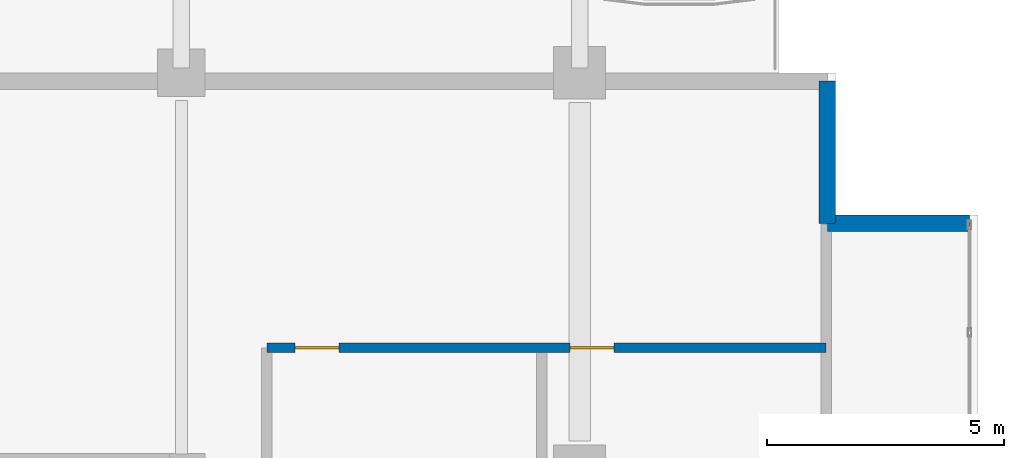
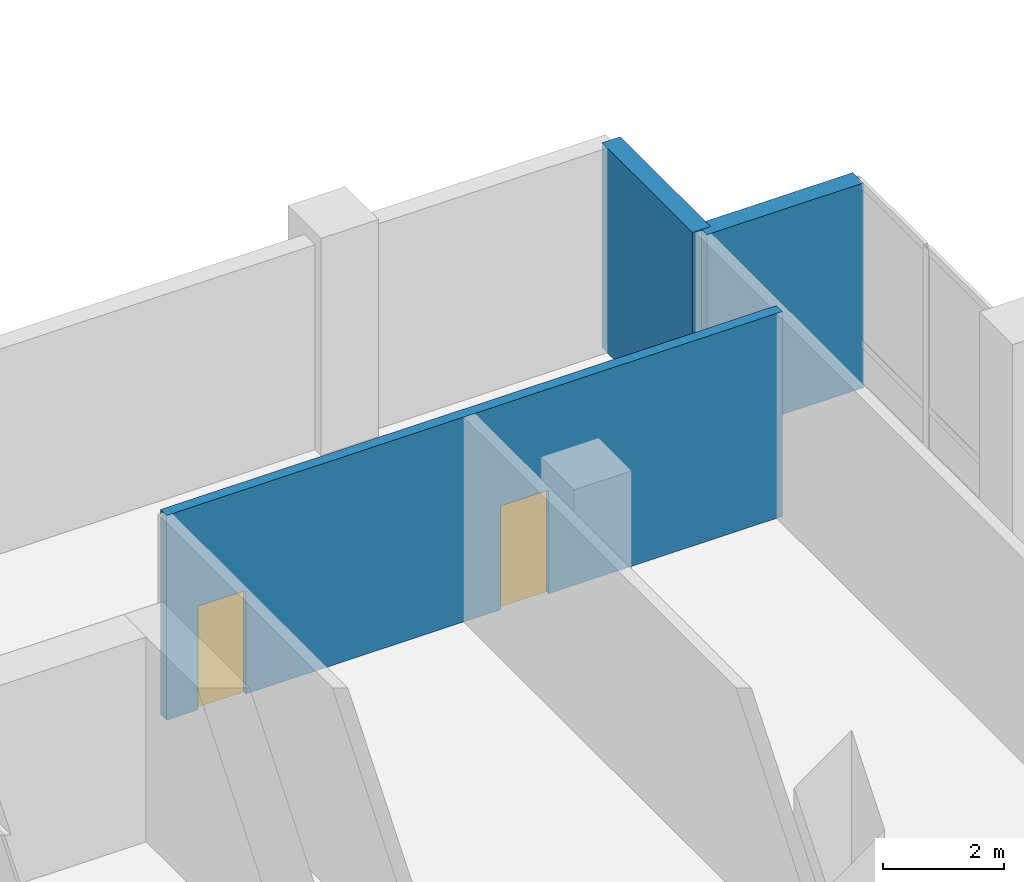
# One storey, part 14 of 22: 3 walls, 2 doors, 2 openings.
"""IFC4 building model written with IfcOpenShell, lengths in metres."""

from ifc_helpers import new_model, si_unit, direction, frame, frame_2d, origin, place, context, subcontext, project, spatial, rectangle, extrude, material, layer, layer_set, type_object, element, fill, save


model = new_model("IFC4")

# Units and contexts
model_context = context("Model", 3, precision=1e-05, world=origin(), true_north=direction((0.0, 1.0)))
body_context = subcontext(model_context, "Body", "Model", "MODEL_VIEW")
ifc_project = project(units=[si_unit("LENGTHUNIT", "METRE"), si_unit("AREAUNIT", "SQUARE_METRE"), si_unit("VOLUMEUNIT", "CUBIC_METRE"), si_unit("PLANEANGLEUNIT", "RADIAN"), si_unit("MASSUNIT", "GRAM", prefix="KILO")], contexts=[model_context])

# Site, building, storey
site_placement = place(None, origin())
site = spatial("IfcSite", under=ifc_project, at=site_placement, CompositionType="ELEMENT")
building_placement = place(site_placement, origin())
building = spatial("IfcBuilding", under=site, at=building_placement, Name="Koriwani Terraces Tower", CompositionType="ELEMENT")
storey_placement = place(building_placement, frame((0.0, 0.0, 153.199951171875)))
storey = spatial("IfcBuildingStorey", under=building, at=storey_placement, Name="L37", CompositionType="ELEMENT", Elevation=153.199951171875)

# Wall, openings, doors
ifc_material_1 = material(Name="Autoclaved Cellular Concrete Blockwork", Category="masonry")
ifc_layer_1 = layer(ifc_material_1, 0.199951171875, Name="Autoclaved Cellular Concrete Blockwork")
ifc_layer_set_1 = layer_set([ifc_layer_1], Name="Autoclaved Cellular Concrete Blockwork")
wall_type_1 = type_object("IfcWallType", Name="WALL_CORRIDOR_200", PredefinedType="PARTITIONING", material=ifc_layer_set_1)
wall_placement = place(storey_placement, frame((60.60009765625, 27.800048828125, 0.0), z_axis=(0.0, 0.0, 1.0), x_axis=(1.0, 0.0, 0.0)))
wall = element("IfcWall", 1, at=wall_placement, inside=storey, type_object=wall_type_1, Name="L37 Interior Wall WSKY-E1-L37", PredefinedType="PARTITIONING", context=body_context, shape_type="SweptSolid", body=[
    extrude(rectangle(XDim=11.7998046875, YDim=0.199951171875, at=frame_2d((5.89990234375, 0.0))), origin(), (0.0, 0.0, 1.0), 4.150146484375),
])
opening_1_placement = place(wall_placement, frame((0.60009765625, 0.0, 0.0)))
opening_1 = element("IfcOpeningElement", 2, at=opening_1_placement, cuts=wall, Name="Opening D-06", PredefinedType="OPENING", context=body_context, shape_type="SweptSolid", body=[
    extrude(rectangle(XDim=0.919921875, YDim=2.10009765625, at=frame_2d((0.4599609375, 1.050048828125))), frame((0.0, 0.10986328125, 0.0), z_axis=(0.0, -1.0, 0.0), x_axis=(1.0, 0.0, 0.0)), (0.0, 0.0, 1.0), 0.219970703125),
])
opening_2_placement = place(wall_placement, frame((6.39990234375, 0.0, 0.0)))
opening_2 = element("IfcOpeningElement", 3, at=opening_2_placement, cuts=wall, Name="Opening D-06", PredefinedType="OPENING", context=body_context, shape_type="SweptSolid", body=[
    extrude(rectangle(XDim=0.919921875, YDim=2.10009765625, at=frame_2d((0.4599609375, 1.050048828125))), frame((0.0, 0.10986328125, 0.0), z_axis=(0.0, -1.0, 0.0), x_axis=(1.0, 0.0, 0.0)), (0.0, 0.0, 1.0), 0.219970703125),
])
ifc_material_2 = material(Name="Architectural Oak Fire Door", Category="wood")
door_type = type_object("IfcDoorType", Name="DOOR_ROOM_INT_920X2100", OperationType="NOTDEFINED", PredefinedType="DOOR", material=ifc_material_2)
door_1_placement = place(opening_1_placement, origin())
door_1 = element("IfcDoor", 4, at=door_1_placement, inside=storey, type_object=door_type, Name="L37 South Panorama Lounge Door", OperationType="SINGLE_SWING_LEFT", OverallHeight=2.10009765625, OverallWidth=0.919921875, PredefinedType="DOOR", context=body_context, shape_type="SweptSolid", body=[
    extrude(rectangle(XDim=0.919921875, YDim=2.10009765625, at=frame_2d((0.4599609375, 1.050048828125))), frame((0.0, 0.02490234375, 0.0), z_axis=(0.0, -1.0, 0.0), x_axis=(1.0, 0.0, 0.0)), (0.0, 0.0, 1.0), 0.050048828125),
])
fill(opening_1, door_1)
door_2_placement = place(opening_2_placement, origin())
door_2 = element("IfcDoor", 5, at=door_2_placement, inside=storey, type_object=door_type, Name="L37 Sky Garden Restaurant Door", OperationType="SINGLE_SWING_RIGHT", OverallHeight=2.10009765625, OverallWidth=0.919921875, PredefinedType="DOOR", context=body_context, shape_type="SweptSolid", body=[
    extrude(rectangle(XDim=0.919921875, YDim=2.10009765625, at=frame_2d((0.4599609375, 1.050048828125))), frame((0.0, 0.02490234375, 0.0), z_axis=(0.0, -1.0, 0.0), x_axis=(1.0, 0.0, 0.0)), (0.0, 0.0, 1.0), 0.050048828125),
])
fill(opening_2, door_2)

# Walls
ifc_material_3 = material(Name="Concrete C50/60", Category="concrete")
ifc_layer_2 = layer(ifc_material_3, 0.35009765625, Name="Concrete C50/60")
ifc_layer_set_2 = layer_set([ifc_layer_2], Name="Concrete C50/60")
wall_type_2 = type_object("IfcWallType", Name="WALL_EXT_BRUTALIST_350", PredefinedType="STANDARD", material=ifc_layer_set_2)
for number, where, z_axis, x_axis, name in (
    (6, (72.425048828125, 33.425048828125, 0.0), (0.0, 0.0, 1.0), (0.0, -1.0, 0.0), "L37 Fair-Faced Brutalist Exterior Wall (N10)"),
    (7, (72.425048828125, 30.425048828125, 0.0), (0.0, 0.0, 1.0), (1.0, 0.0, 0.0), "L37 Fair-Faced Brutalist Exterior Wall (N11)"),
):
    element("IfcWall", number, at=place(storey_placement, frame(where, z_axis=z_axis, x_axis=x_axis)), inside=storey, type_object=wall_type_2, Name=name, PredefinedType="STANDARD", context=body_context, shape_type="SweptSolid", body=[
        extrude(rectangle(XDim=3.0, YDim=0.35009765625, at=frame_2d((1.5, 0.0))), origin(), (0.0, 0.0, 1.0), 4.150146484375),
    ])

save(model, "model.ifc")
